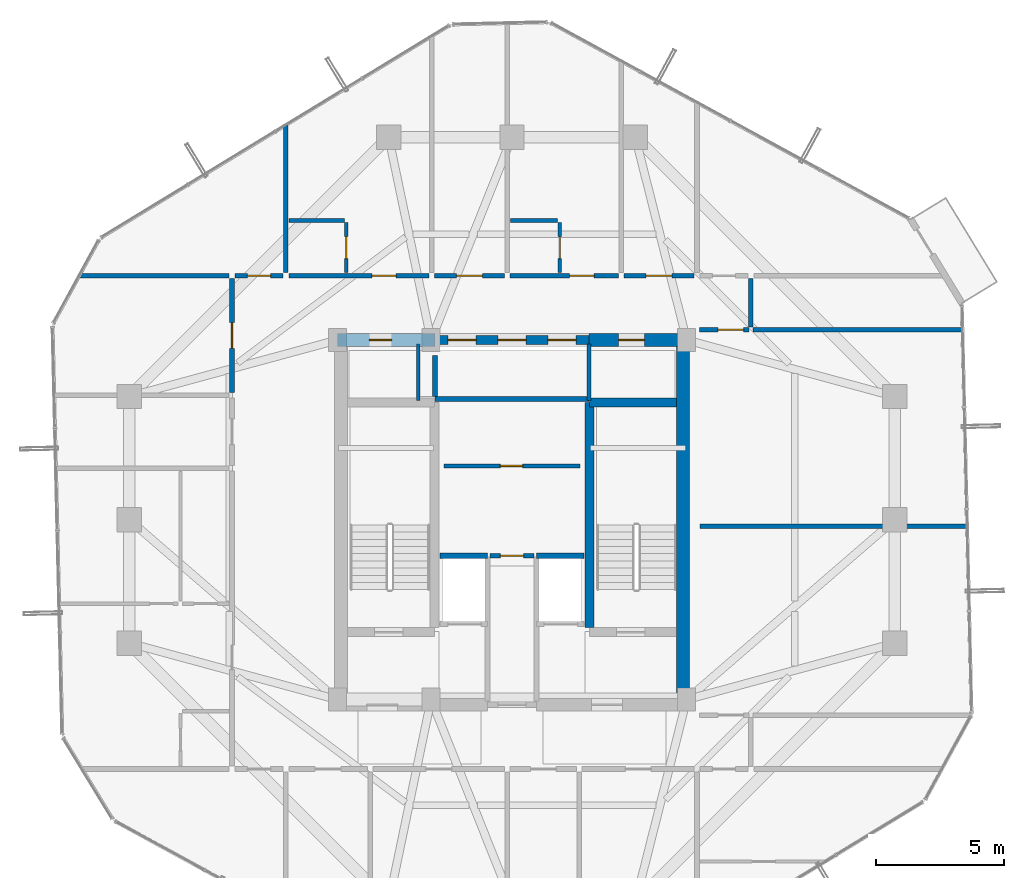
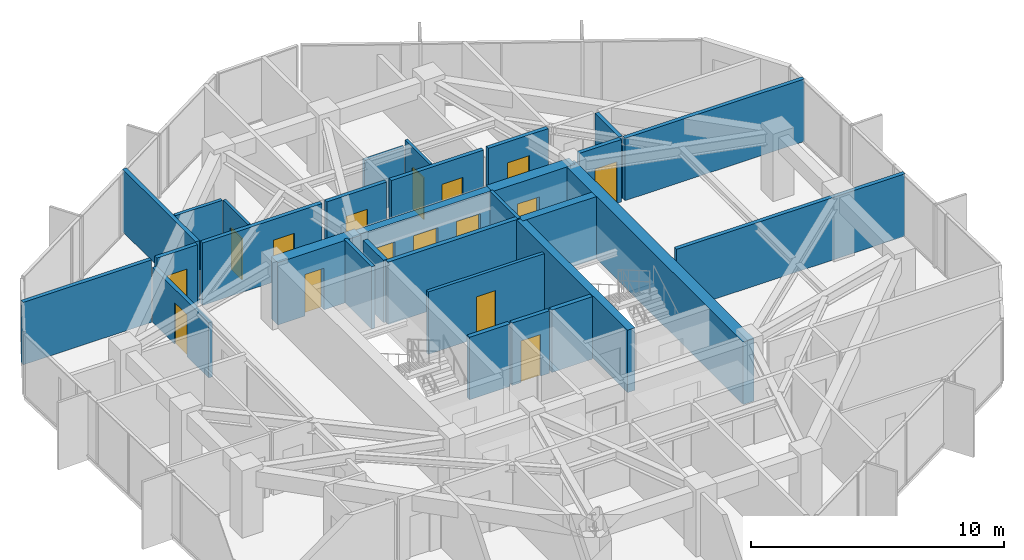
# One storey, part 29 of 32: 30 walls, 16 doors, 16 openings.
"""IFC4 building model written with IfcOpenShell, lengths in metres."""

from ifc_helpers import new_model, si_unit, direction, frame, frame_2d, origin, place, context, subcontext, project, spatial, rectangle, extrude, source, transform, mapped, material, layer, layer_set, type_object, element, fill, save


model = new_model("IFC4")

# Units and contexts
model_context = context("Model", 3, precision=1e-05, world=origin(), true_north=direction((0.0, 1.0)))
body_context = subcontext(model_context, "Body", "Model", "MODEL_VIEW")
ifc_project = project(units=[si_unit("LENGTHUNIT", "METRE"), si_unit("AREAUNIT", "SQUARE_METRE"), si_unit("VOLUMEUNIT", "CUBIC_METRE"), si_unit("PLANEANGLEUNIT", "RADIAN"), si_unit("MASSUNIT", "GRAM", prefix="KILO")], contexts=[model_context])

# Site, building, storey
site_placement = place(None, origin())
site = spatial("IfcSite", under=ifc_project, at=site_placement, CompositionType="ELEMENT")
building_placement = place(site_placement, origin())
building = spatial("IfcBuilding", under=site, at=building_placement, Name="Veraguas Prism Commons", CompositionType="ELEMENT")
storey_placement = place(building_placement, frame((0.0, 0.0, 201.60009765625)))
storey = spatial("IfcBuildingStorey", under=building, at=storey_placement, Name="L57", CompositionType="ELEMENT", Elevation=201.60009765625)

# Wall, openings, doors
ifc_material_1 = material(Name="Concrete C50/60", Category="concrete")
ifc_layer_1 = layer(ifc_material_1, 0.35009765625, Name="Core Internal Shear Wall Upper RC 350", Category="concrete")
ifc_layer_set_1 = layer_set([ifc_layer_1], Name="Concrete C50/60")
wall_type_1 = type_object("IfcWallType", Name="Core Internal Shear Wall Upper RC 350", PredefinedType="SHEAR", material=ifc_layer_set_1)
wall_1_placement = place(storey_placement, frame((21.0, 31.0, 0.0), z_axis=(0.0, 0.0, 1.0), x_axis=(1.0, 0.0, 0.0)))
wall_1 = element("IfcWall", 1, at=wall_1_placement, inside=storey, type_object=wall_type_1, Name="High-Rise Lift Bank Front Shear Wall L57", PredefinedType="SHEAR", context=body_context, shape_type="SweptSolid", body=[
    extrude(rectangle(XDim=6.0, YDim=0.35009765625, at=frame_2d((3.0, 0.0))), origin(), (0.0, 0.0, 1.0), 3.014892578125),
])
opening_1_placement = place(wall_1_placement, frame((0.5, 0.0, 0.0)))
opening_1 = element("IfcOpeningElement", 2, at=opening_1_placement, cuts=wall_1, Name="Opening LD-01", PredefinedType="OPENING", context=body_context, shape_type="SweptSolid", body=[
    extrude(rectangle(XDim=1.10009765625, YDim=2.080078125, at=frame_2d((0.550048828125, 1.0400390625))), frame((0.0, 0.18505859375, 0.0), z_axis=(0.0, -1.0, 0.0), x_axis=(1.0, 0.0, 0.0)), (0.0, 0.0, 1.0), 0.3701171875),
])
opening_2_placement = place(wall_1_placement, frame((2.449951171875, 0.0, 0.0)))
opening_2 = element("IfcOpeningElement", 3, at=opening_2_placement, cuts=wall_1, Name="Opening LD-01", PredefinedType="OPENING", context=body_context, shape_type="SweptSolid", body=[
    extrude(rectangle(XDim=1.10009765625, YDim=2.080078125, at=frame_2d((0.550048828125, 1.0400390625))), frame((0.0, 0.18505859375, 0.0), z_axis=(0.0, -1.0, 0.0), x_axis=(1.0, 0.0, 0.0)), (0.0, 0.0, 1.0), 0.3701171875),
])
opening_3_placement = place(wall_1_placement, frame((4.39990234375, 0.0, 0.0)))
opening_3 = element("IfcOpeningElement", 4, at=opening_3_placement, cuts=wall_1, Name="Opening LD-01", PredefinedType="OPENING", context=body_context, shape_type="SweptSolid", body=[
    extrude(rectangle(XDim=1.10009765625, YDim=2.080078125, at=frame_2d((0.550048828125, 1.0400390625))), frame((0.0, 0.18505859375, 0.0), z_axis=(0.0, -1.0, 0.0), x_axis=(1.0, 0.0, 0.0)), (0.0, 0.0, 1.0), 0.3701171875),
])
ifc_material_2 = material(Name="Stainless steel AISI 316", Category="steel")
door_type_1 = type_object("IfcDoorType", Name="Passenger Lift Sliding Landing Door 1100x2080", OperationType="NOTDEFINED", PredefinedType="DOOR", material=ifc_material_2)
shared_shape_1 = source(origin(), body_context, "Body", "SweptSolid", [
    extrude(rectangle(XDim=1.10009765625, YDim=2.080078125, at=frame_2d((0.550048828125, 1.0400390625))), frame((0.0, 0.02490234375, 0.0), z_axis=(0.0, -1.0, 0.0), x_axis=(1.0, 0.0, 0.0)), (0.0, 0.0, 1.0), 0.050048828125),
])
door_1_placement = place(opening_1_placement, origin())
door_1 = element("IfcDoor", 5, at=door_1_placement, inside=storey, type_object=door_type_1, Name="Sliding Landing Door PL-H1 L57", OperationType="SLIDING_TO_LEFT", OverallHeight=2.080078125, OverallWidth=1.10009765625, PredefinedType="DOOR", context=body_context, shape_type="MappedRepresentation", body=[
    mapped(shared_shape_1, transform((0.0, 0.0, 0.0), scale=1.0)),
])
fill(opening_1, door_1)
door_2_placement = place(opening_2_placement, origin())
door_2 = element("IfcDoor", 6, at=door_2_placement, inside=storey, type_object=door_type_1, Name="Sliding Landing Door PL-H2 L57", OperationType="SLIDING_TO_LEFT", OverallHeight=2.080078125, OverallWidth=1.10009765625, PredefinedType="DOOR", context=body_context, shape_type="MappedRepresentation", body=[
    mapped(shared_shape_1, transform((0.0, 0.0, 0.0), scale=1.0)),
])
fill(opening_2, door_2)
door_3_placement = place(opening_3_placement, origin())
door_3 = element("IfcDoor", 7, at=door_3_placement, inside=storey, type_object=door_type_1, Name="Sliding Landing Door PL-H3 L57", OperationType="SLIDING_TO_LEFT", OverallHeight=2.080078125, OverallWidth=1.10009765625, PredefinedType="DOOR", context=body_context, shape_type="MappedRepresentation", body=[
    mapped(shared_shape_1, transform((0.0, 0.0, 0.0), scale=1.0)),
])
fill(opening_3, door_3)

# Walls
wall_2_placement = place(storey_placement, frame((27.02490234375, 19.800048828125, 0.0), z_axis=(0.0, 0.0, 1.0), x_axis=(0.0, 1.0, 0.0)))
element("IfcWall", 8, at=wall_2_placement, inside=storey, type_object=wall_type_1, Name="Stair ST-02 Inner Shear Wall L57", PredefinedType="SHEAR", context=body_context, shape_type="SweptSolid", body=[
    extrude(rectangle(XDim=8.77490234375, YDim=0.35009765625, at=frame_2d((4.387451171875, 0.0))), origin(), (0.0, 0.0, 1.0), 3.014892578125),
])
wall_3_placement = place(storey_placement, frame((27.02490234375, 28.574951171875, 0.0), z_axis=(0.0, 0.0, 1.0), x_axis=(1.0, 0.0, 0.0)))
element("IfcWall", 9, at=wall_3_placement, inside=storey, type_object=wall_type_1, Name="Stair ST-02 North Shear Wall L57", PredefinedType="SHEAR", context=body_context, shape_type="SweptSolid", body=[
    extrude(rectangle(XDim=3.375, YDim=0.35009765625, at=frame_2d((1.6875, 0.0))), origin(), (0.0, 0.0, 1.0), 3.014892578125),
])
ifc_layer_2 = layer(ifc_material_1, 0.5, Name="Core Outer Shear Wall Upper RC 500", Category="concrete")
ifc_layer_set_2 = layer_set([ifc_layer_2], Name="Concrete C50/60")
wall_type_2 = type_object("IfcWallType", Name="Core Outer Shear Wall Upper RC 500", PredefinedType="SHEAR", material=ifc_layer_set_2)
wall_4_placement = place(storey_placement, frame((30.64990234375, 16.800048828125, 0.0), z_axis=(0.0, 0.0, 1.0), x_axis=(0.0, 1.0, 0.0)))
element("IfcWall", 10, at=wall_4_placement, inside=storey, type_object=wall_type_2, Name="Central Core East Shear Wall L57", PredefinedType="SHEAR", context=body_context, shape_type="SweptSolid", body=[
    extrude(rectangle(XDim=14.199951171875, YDim=0.5, at=frame_2d((7.10009765625, 0.0))), origin(), (0.0, 0.0, 1.0), 3.014892578125),
])

# Wall, opening, door
wall_5_placement = place(storey_placement, frame((17.199951171875, 31.0, 0.0), z_axis=(0.0, 0.0, 1.0), x_axis=(1.0, 0.0, 0.0)))
wall_5 = element("IfcWall", 11, at=wall_5_placement, inside=storey, type_object=wall_type_2, Name="Central Core North-West Shear Wall L57", PredefinedType="SHEAR", context=body_context, shape_type="SweptSolid", body=[
    extrude(rectangle(XDim=3.800048828125, YDim=0.5, at=frame_2d((1.89990234375, 0.0))), origin(), (0.0, 0.0, 1.0), 3.014892578125),
])
opening_4_placement = place(wall_5_placement, frame((1.25, 0.0, 0.0)))
opening_4 = element("IfcOpeningElement", 12, at=opening_4_placement, cuts=wall_5, Name="Opening DR-12", PredefinedType="OPENING", context=body_context, shape_type="SweptSolid", body=[
    extrude(rectangle(XDim=0.860107421875, YDim=2.010009765625, at=frame_2d((0.43017578125, 1.0048828125))), frame((0.0, 0.260009765625, 0.0), z_axis=(0.0, -1.0, 0.0), x_axis=(1.0, 0.0, 0.0)), (0.0, 0.0, 1.0), 0.52001953125),
])
ifc_material_3 = material(Name="Steel fire-rated door assembly", Category="steel")
door_type_2 = type_object("IfcDoorType", Name="Core WC Fire Door 860x2010", OperationType="NOTDEFINED", PredefinedType="DOOR", material=ifc_material_3)
shared_shape_2 = source(origin(), body_context, "Body", "SweptSolid", [
    extrude(rectangle(XDim=0.860107421875, YDim=2.010009765625, at=frame_2d((0.43017578125, 1.0048828125))), frame((0.0, 0.02490234375, 0.0), z_axis=(0.0, -1.0, 0.0), x_axis=(1.0, 0.0, 0.0)), (0.0, 0.0, 1.0), 0.050048828125),
])
door_4_placement = place(opening_4_placement, origin())
door_4 = element("IfcDoor", 13, at=door_4_placement, inside=storey, type_object=door_type_2, Name="Core NW Service Door L57", OperationType="SINGLE_SWING_RIGHT", OverallHeight=2.010009765625, OverallWidth=0.860107421875, PredefinedType="DOOR", context=body_context, shape_type="MappedRepresentation", body=[
    mapped(shared_shape_2, transform((0.0, 0.0, 0.0), scale=1.0)),
])
fill(opening_4, door_4)

wall_6_placement = place(storey_placement, frame((27.0, 31.0, 0.0), z_axis=(0.0, 0.0, 1.0), x_axis=(1.0, 0.0, 0.0)))
wall_6 = element("IfcWall", 14, at=wall_6_placement, inside=storey, type_object=wall_type_2, Name="Central Core North-East Shear Wall L57", PredefinedType="SHEAR", context=body_context, shape_type="SweptSolid", body=[
    extrude(rectangle(XDim=3.800048828125, YDim=0.5, at=frame_2d((1.89990234375, 0.0))), origin(), (0.0, 0.0, 1.0), 3.014892578125),
])
opening_5_placement = place(wall_6_placement, frame((1.14990234375, 0.0, 0.0)))
opening_5 = element("IfcOpeningElement", 15, at=opening_5_placement, cuts=wall_6, Name="Opening DR-13", PredefinedType="OPENING", context=body_context, shape_type="SweptSolid", body=[
    extrude(rectangle(XDim=1.0, YDim=2.010009765625, at=frame_2d((0.5, 1.0048828125))), frame((0.0, 0.260009765625, 0.0), z_axis=(0.0, -1.0, 0.0), x_axis=(1.0, 0.0, 0.0)), (0.0, 0.0, 1.0), 0.52001953125),
])
door_type_3 = type_object("IfcDoorType", Name="Core Accessible WC and Clinic Fire Door 1000x2010", OperationType="NOTDEFINED", PredefinedType="DOOR", material=ifc_material_3)
shared_shape_3 = source(origin(), body_context, "Body", "SweptSolid", [
    extrude(rectangle(XDim=1.0, YDim=2.010009765625, at=frame_2d((0.5, 1.0048828125))), frame((0.0, 0.02490234375, 0.0), z_axis=(0.0, -1.0, 0.0), x_axis=(1.0, 0.0, 0.0)), (0.0, 0.0, 1.0), 0.050048828125),
])
door_5_placement = place(opening_5_placement, origin())
door_5 = element("IfcDoor", 16, at=door_5_placement, inside=storey, type_object=door_type_3, Name="Core NE Pantry Door L57", OperationType="SINGLE_SWING_LEFT", OverallHeight=2.010009765625, OverallWidth=1.0, PredefinedType="DOOR", context=body_context, shape_type="MappedRepresentation", body=[
    mapped(shared_shape_3, transform((0.0, 0.0, 0.0), scale=1.0)),
])
fill(opening_5, door_5)

ifc_material_4 = material(Name="Autoclaved aerated masonry block 10 MPa", Category="masonry")
ifc_layer_3 = layer(ifc_material_4, 0.179931640625, Name="Corridor and Inter-Tenancy Partition 180", Category="masonry")
ifc_layer_set_3 = layer_set([ifc_layer_3], Name="Autoclaved aerated masonry block 10 MPa")
wall_type_3 = type_object("IfcWallType", Name="Corridor and Inter-Tenancy Partition 180", PredefinedType="PARTITIONING", material=ifc_layer_set_3)
wall_7_placement = place(storey_placement, frame((23.14990234375, 22.60009765625, 0.0), z_axis=(0.0, 0.0, 1.0), x_axis=(1.0, 0.0, 0.0)))
wall_7 = element("IfcWall", 17, at=wall_7_placement, inside=storey, type_object=wall_type_3, Name="Core Suite Entry Wall L57", PredefinedType="PARTITIONING", context=body_context, shape_type="SweptSolid", body=[
    extrude(rectangle(XDim=1.7001953125, YDim=0.179931640625, at=frame_2d((0.85009765625, 0.0))), origin(), (0.0, 0.0, 1.0), 3.014892578125),
])
opening_6_placement = place(wall_7_placement, frame((0.39990234375, 0.0, 0.0)))
opening_6 = element("IfcOpeningElement", 18, at=opening_6_placement, cuts=wall_7, Name="Opening DR-14", PredefinedType="OPENING", context=body_context, shape_type="SweptSolid", body=[
    extrude(rectangle(XDim=0.89990234375, YDim=2.010009765625, at=frame_2d((0.449951171875, 1.0048828125))), frame((0.0, 0.099853515625, 0.0), z_axis=(0.0, -1.0, 0.0), x_axis=(1.0, 0.0, 0.0)), (0.0, 0.0, 1.0), 0.199951171875),
])
door_type_4 = type_object("IfcDoorType", Name="Core Service Room Fire Door 900x2010", OperationType="NOTDEFINED", PredefinedType="DOOR", material=ifc_material_3)
shared_shape_4 = source(origin(), body_context, "Body", "SweptSolid", [
    extrude(rectangle(XDim=0.89990234375, YDim=2.010009765625, at=frame_2d((0.449951171875, 1.0048828125))), frame((0.0, 0.02490234375, 0.0), z_axis=(0.0, -1.0, 0.0), x_axis=(1.0, 0.0, 0.0)), (0.0, 0.0, 1.0), 0.050048828125),
])
door_6_placement = place(opening_6_placement, origin())
door_6 = element("IfcDoor", 19, at=door_6_placement, inside=storey, type_object=door_type_4, Name="Core Suite Entry Door L57", OperationType="SINGLE_SWING_RIGHT", OverallHeight=2.010009765625, OverallWidth=0.89990234375, PredefinedType="DOOR", context=body_context, shape_type="MappedRepresentation", body=[
    mapped(shared_shape_4, transform((0.0, 0.0, 0.0), scale=1.0)),
])
fill(opening_6, door_6)

# Wall
wall_8_placement = place(storey_placement, frame((15.199951171875, 33.6201171875, 0.0), z_axis=(0.0, 0.0, 1.0), x_axis=(0.0, 1.0, 0.0)))
element("IfcWall", 20, at=wall_8_placement, inside=storey, type_object=wall_type_3, Name="WL-L57-PT010", PredefinedType="PARTITIONING", context=body_context, shape_type="SweptSolid", body=[
    extrude(rectangle(XDim=5.7919921875, YDim=0.179931640625, at=frame_2d((2.89599609375, 0.0))), origin(), (0.0, 0.0, 1.0), 3.014892578125),
])

# Wall, opening, door
wall_9_placement = place(storey_placement, frame((20.97998046875, 33.5, 0.0), z_axis=(0.0, 0.0, 1.0), x_axis=(1.0, 0.0, 0.0)))
wall_9 = element("IfcWall", 21, at=wall_9_placement, inside=storey, type_object=wall_type_3, Name="WL-L57-PT012", PredefinedType="PARTITIONING", context=body_context, shape_type="SweptSolid", body=[
    extrude(rectangle(XDim=2.72998046875, YDim=0.179931640625, at=frame_2d((1.364990234375, 0.0))), origin(), (0.0, 0.0, 1.0), 3.014892578125),
])
opening_7_placement = place(wall_9_placement, frame((0.864990234375, 0.0, 0.0)))
opening_7 = element("IfcOpeningElement", 22, at=opening_7_placement, cuts=wall_9, Name="Opening DR-13", PredefinedType="OPENING", context=body_context, shape_type="SweptSolid", body=[
    extrude(rectangle(XDim=1.0, YDim=2.010009765625, at=frame_2d((0.5, 1.0048828125))), frame((0.0, 0.099853515625, 0.0), z_axis=(0.0, -1.0, 0.0), x_axis=(1.0, 0.0, 0.0)), (0.0, 0.0, 1.0), 0.199951171875),
])
door_7_placement = place(opening_7_placement, origin())
door_7 = element("IfcDoor", 23, at=door_7_placement, inside=storey, type_object=door_type_3, Name="Quiet Study N Door", OperationType="SINGLE_SWING_RIGHT", OverallHeight=2.010009765625, OverallWidth=1.0, PredefinedType="DOOR", context=body_context, shape_type="MappedRepresentation", body=[
    mapped(shared_shape_3, transform((0.0, 0.0, 0.0), scale=1.0)),
])
fill(opening_7, door_7)

wall_10_placement = place(storey_placement, frame((15.31005859375, 33.5, 0.0), z_axis=(0.0, 0.0, 1.0), x_axis=(1.0, 0.0, 0.0)))
wall_10 = element("IfcWall", 24, at=wall_10_placement, inside=storey, type_object=wall_type_3, Name="WL-L57-PT014", PredefinedType="PARTITIONING", context=body_context, shape_type="SweptSolid", body=[
    extrude(rectangle(XDim=5.449951171875, YDim=0.179931640625, at=frame_2d((2.72509765625, 0.0))), origin(), (0.0, 0.0, 1.0), 3.014892578125),
])
opening_8_placement = place(wall_10_placement, frame((3.23388671875, 0.0, 0.0)))
opening_8 = element("IfcOpeningElement", 25, at=opening_8_placement, cuts=wall_10, Name="Opening DR-01", PredefinedType="OPENING", context=body_context, shape_type="SweptSolid", body=[
    extrude(rectangle(XDim=0.949951171875, YDim=2.02001953125, at=frame_2d((0.47509765625, 1.010009765625))), frame((0.0, 0.099853515625, 0.0), z_axis=(0.0, -1.0, 0.0), x_axis=(1.0, 0.0, 0.0)), (0.0, 0.0, 1.0), 0.199951171875),
])
ifc_material_5 = material(Name="Anodised aluminium EN AW-6063 T6", Category="aluminium")
door_type_5 = type_object("IfcDoorType", Name="Apartment Entrance Fire Door 950x2020", OperationType="NOTDEFINED", PredefinedType="DOOR", material=ifc_material_5)
shared_shape_5 = source(origin(), body_context, "Body", "SweptSolid", [
    extrude(rectangle(XDim=0.949951171875, YDim=2.02001953125, at=frame_2d((0.47509765625, 1.010009765625))), frame((0.0, 0.02490234375, 0.0), z_axis=(0.0, -1.0, 0.0), x_axis=(1.0, 0.0, 0.0)), (0.0, 0.0, 1.0), 0.050048828125),
])
door_8_placement = place(opening_8_placement, origin())
door_8 = element("IfcDoor", 26, at=door_8_placement, inside=storey, type_object=door_type_5, Name="Studio 57A Entrance Door", OperationType="SINGLE_SWING_LEFT", OverallHeight=2.02001953125, OverallWidth=0.949951171875, PredefinedType="DOOR", context=body_context, shape_type="MappedRepresentation", body=[
    mapped(shared_shape_5, transform((0.0, 0.0, 0.0), scale=1.0)),
])
fill(opening_8, door_8)

wall_11_placement = place(storey_placement, frame((28.360107421875, 33.5, 0.0), z_axis=(0.0, 0.0, 1.0), x_axis=(1.0, 0.0, 0.0)))
wall_11 = element("IfcWall", 27, at=wall_11_placement, inside=storey, type_object=wall_type_3, Name="WL-L57-PT018", PredefinedType="PARTITIONING", context=body_context, shape_type="SweptSolid", body=[
    extrude(rectangle(XDim=2.72998046875, YDim=0.179931640625, at=frame_2d((1.364990234375, 0.0))), origin(), (0.0, 0.0, 1.0), 3.014892578125),
])
opening_9_placement = place(wall_11_placement, frame((0.864990234375, 0.0, 0.0)))
opening_9 = element("IfcOpeningElement", 28, at=opening_9_placement, cuts=wall_11, Name="Opening DR-13", PredefinedType="OPENING", context=body_context, shape_type="SweptSolid", body=[
    extrude(rectangle(XDim=1.0, YDim=2.010009765625, at=frame_2d((0.5, 1.0048828125))), frame((0.0, 0.099853515625, 0.0), z_axis=(0.0, -1.0, 0.0), x_axis=(1.0, 0.0, 0.0)), (0.0, 0.0, 1.0), 0.199951171875),
])
door_9_placement = place(opening_9_placement, origin())
door_9 = element("IfcDoor", 29, at=door_9_placement, inside=storey, type_object=door_type_3, Name="Quiet Study N Door", OperationType="SINGLE_SWING_LEFT", OverallHeight=2.010009765625, OverallWidth=1.0, PredefinedType="DOOR", context=body_context, shape_type="MappedRepresentation", body=[
    mapped(shared_shape_3, transform((0.0, 0.0, 0.0), scale=1.0)),
])
fill(opening_9, door_9)

wall_12_placement = place(storey_placement, frame((23.929931640625, 33.5, 0.0), z_axis=(0.0, 0.0, 1.0), x_axis=(1.0, 0.0, 0.0)))
wall_12 = element("IfcWall", 30, at=wall_12_placement, inside=storey, type_object=wall_type_3, Name="WL-L57-PT020", PredefinedType="PARTITIONING", context=body_context, shape_type="SweptSolid", body=[
    extrude(rectangle(XDim=4.2099609375, YDim=0.179931640625, at=frame_2d((2.10498046875, 0.0))), origin(), (0.0, 0.0, 1.0), 3.014892578125),
])
opening_10_placement = place(wall_12_placement, frame((2.31640625, 0.0, 0.0)))
opening_10 = element("IfcOpeningElement", 31, at=opening_10_placement, cuts=wall_12, Name="Opening DR-01", PredefinedType="OPENING", context=body_context, shape_type="SweptSolid", body=[
    extrude(rectangle(XDim=0.949951171875, YDim=2.02001953125, at=frame_2d((0.47509765625, 1.010009765625))), frame((0.0, 0.099853515625, 0.0), z_axis=(0.0, -1.0, 0.0), x_axis=(1.0, 0.0, 0.0)), (0.0, 0.0, 1.0), 0.199951171875),
])
door_10_placement = place(opening_10_placement, origin())
door_10 = element("IfcDoor", 32, at=door_10_placement, inside=storey, type_object=door_type_5, Name="Studio 57B Entrance Door", OperationType="SINGLE_SWING_RIGHT", OverallHeight=2.02001953125, OverallWidth=0.949951171875, PredefinedType="DOOR", context=body_context, shape_type="MappedRepresentation", body=[
    mapped(shared_shape_5, transform((0.0, 0.0, 0.0), scale=1.0)),
])
fill(opening_10, door_10)

# Wall
wall_13_placement = place(storey_placement, frame((12.97998046875, 33.5, 0.0), z_axis=(0.0, 0.0, 1.0), x_axis=(-1.0, 0.0, 0.0)))
element("IfcWall", 33, at=wall_13_placement, inside=storey, type_object=wall_type_3, Name="WL-L57-PT024", PredefinedType="PARTITIONING", context=body_context, shape_type="SweptSolid", body=[
    extrude(rectangle(XDim=5.86572265625, YDim=0.179931640625, at=frame_2d((2.932861328125, 0.0))), origin(), (0.0, 0.0, 1.0), 3.014892578125),
])

# Wall, opening, door
wall_14_placement = place(storey_placement, frame((13.10009765625, 28.9619140625, 0.0), z_axis=(0.0, 0.0, 1.0), x_axis=(0.0, 1.0, 0.0)))
wall_14 = element("IfcWall", 34, at=wall_14_placement, inside=storey, type_object=wall_type_3, Name="WL-L57-PT033", PredefinedType="PARTITIONING", context=body_context, shape_type="SweptSolid", body=[
    extrude(rectangle(XDim=4.427978515625, YDim=0.179931640625, at=frame_2d((2.2138671875, 0.0))), origin(), (0.0, 0.0, 1.0), 2.661865234375),
])
opening_11_placement = place(wall_14_placement, frame((1.714111328125, 0.0, 0.0)))
opening_11 = element("IfcOpeningElement", 35, at=opening_11_placement, cuts=wall_14, Name="Opening DR-13", PredefinedType="OPENING", context=body_context, shape_type="SweptSolid", body=[
    extrude(rectangle(XDim=1.0, YDim=2.010009765625, at=frame_2d((0.5, 1.0048828125))), frame((0.0, 0.099853515625, 0.0), z_axis=(0.0, -1.0, 0.0), x_axis=(1.0, 0.0, 0.0)), (0.0, 0.0, 1.0), 0.199951171875),
])
door_11_placement = place(opening_11_placement, origin())
door_11 = element("IfcDoor", 36, at=door_11_placement, inside=storey, type_object=door_type_3, Name="Co-op Store W Door", OperationType="SINGLE_SWING_LEFT", OverallHeight=2.010009765625, OverallWidth=1.0, PredefinedType="DOOR", context=body_context, shape_type="MappedRepresentation", body=[
    mapped(shared_shape_3, transform((0.0, 0.0, 0.0), scale=1.0)),
])
fill(opening_11, door_11)

# Walls
wall_15_placement = place(storey_placement, frame((31.320068359375, 23.75, 0.0), z_axis=(0.0, 0.0, 1.0), x_axis=(1.0, 0.0, 0.0)))
element("IfcWall", 37, at=wall_15_placement, inside=storey, type_object=wall_type_3, Name="WL-L57-PT035", PredefinedType="PARTITIONING", context=body_context, shape_type="SweptSolid", body=[
    extrude(rectangle(XDim=10.43115234375, YDim=0.179931640625, at=frame_2d((5.215576171875, 0.0))), origin(), (0.0, 0.0, 1.0), 3.014892578125),
])
wall_16_placement = place(storey_placement, frame((33.300048828125, 31.5, 0.0), z_axis=(0.0, 0.0, 1.0), x_axis=(0.0, 1.0, 0.0)))
element("IfcWall", 38, at=wall_16_placement, inside=storey, type_object=wall_type_3, Name="WL-L57-PT037", PredefinedType="PARTITIONING", context=body_context, shape_type="SweptSolid", body=[
    extrude(rectangle(XDim=1.89990234375, YDim=0.179931640625, at=frame_2d((0.949951171875, 0.0))), origin(), (0.0, 0.0, 1.0), 3.014892578125),
])

# Wall, opening, door
wall_17_placement = place(storey_placement, frame((31.300048828125, 31.39990234375, 0.0), z_axis=(0.0, 0.0, 1.0), x_axis=(1.0, 0.0, 0.0)))
wall_17 = element("IfcWall", 39, at=wall_17_placement, inside=storey, type_object=wall_type_3, Name="WL-L57-PT040", PredefinedType="PARTITIONING", context=body_context, shape_type="SweptSolid", body=[
    extrude(rectangle(XDim=1.919921875, YDim=0.179931640625, at=frame_2d((0.9599609375, 0.0))), origin(), (0.0, 0.0, 1.0), 3.014892578125),
])
opening_12_placement = place(wall_17_placement, frame((0.719970703125, 0.0, 0.0)))
opening_12 = element("IfcOpeningElement", 40, at=opening_12_placement, cuts=wall_17, Name="Opening DR-13", PredefinedType="OPENING", context=body_context, shape_type="SweptSolid", body=[
    extrude(rectangle(XDim=1.0, YDim=2.010009765625, at=frame_2d((0.5, 1.0048828125))), frame((0.0, 0.099853515625, 0.0), z_axis=(0.0, -1.0, 0.0), x_axis=(1.0, 0.0, 0.0)), (0.0, 0.0, 1.0), 0.199951171875),
])
door_12_placement = place(opening_12_placement, origin())
door_12 = element("IfcDoor", 41, at=door_12_placement, inside=storey, type_object=door_type_3, Name="Study Salon Door L57", OperationType="SINGLE_SWING_LEFT", OverallHeight=2.010009765625, OverallWidth=1.0, PredefinedType="DOOR", context=body_context, shape_type="MappedRepresentation", body=[
    mapped(shared_shape_3, transform((0.0, 0.0, 0.0), scale=1.0)),
])
fill(opening_12, door_12)

# Wall
wall_18_placement = place(storey_placement, frame((33.3798828125, 31.39990234375, 0.0), z_axis=(0.0, 0.0, 1.0), x_axis=(1.0, 0.0, 0.0)))
element("IfcWall", 42, at=wall_18_placement, inside=storey, type_object=wall_type_3, Name="WL-L57-PT041", PredefinedType="PARTITIONING", context=body_context, shape_type="SweptSolid", body=[
    extrude(rectangle(XDim=8.189697265625, YDim=0.179931640625, at=frame_2d((4.0947265625, 0.0))), origin(), (0.0, 0.0, 1.0), 3.014892578125),
])

# Wall, opening, door
wall_19_placement = place(storey_placement, frame((13.219970703125, 33.5, 0.0), z_axis=(0.0, 0.0, 1.0), x_axis=(1.0, 0.0, 0.0)))
wall_19 = element("IfcWall", 43, at=wall_19_placement, inside=storey, type_object=wall_type_3, Name="WL-L57-PT046", PredefinedType="PARTITIONING", context=body_context, shape_type="SweptSolid", body=[
    extrude(rectangle(XDim=1.860107421875, YDim=0.179931640625, at=frame_2d((0.93017578125, 0.0))), origin(), (0.0, 0.0, 1.0), 3.014892578125),
])
opening_13_placement = place(wall_19_placement, frame((0.47998046875, 0.0, 0.0)))
opening_13 = element("IfcOpeningElement", 44, at=opening_13_placement, cuts=wall_19, Name="Opening DR-14", PredefinedType="OPENING", context=body_context, shape_type="SweptSolid", body=[
    extrude(rectangle(XDim=0.89990234375, YDim=2.010009765625, at=frame_2d((0.449951171875, 1.0048828125))), frame((0.0, 0.099853515625, 0.0), z_axis=(0.0, -1.0, 0.0), x_axis=(1.0, 0.0, 0.0)), (0.0, 0.0, 1.0), 0.199951171875),
])
door_13_placement = place(opening_13_placement, origin())
door_13 = element("IfcDoor", 45, at=door_13_placement, inside=storey, type_object=door_type_4, Name="Residents Cycle and Pram Store NW Door", OperationType="SINGLE_SWING_LEFT", OverallHeight=2.010009765625, OverallWidth=0.89990234375, PredefinedType="DOOR", context=body_context, shape_type="MappedRepresentation", body=[
    mapped(shared_shape_4, transform((0.0, 0.0, 0.0), scale=1.0)),
])
fill(opening_13, door_13)

ifc_material_6 = material(Name="Lightweight acoustic gypsum board")
ifc_layer_4 = layer(ifc_material_6, 0.125, Name="Internal Apartment Room Partition 125")
ifc_layer_set_4 = layer_set([ifc_layer_4], Name="Lightweight acoustic gypsum board")
wall_type_4 = type_object("IfcWallType", Name="Internal Apartment Room Partition 125", PredefinedType="PARTITIONING", material=ifc_layer_set_4)
wall_20_placement = place(storey_placement, frame((17.550048828125, 33.6201171875, 0.0), z_axis=(0.0, 0.0, 1.0), x_axis=(0.0, 1.0, 0.0)))
wall_20 = element("IfcWall", 46, at=wall_20_placement, inside=storey, type_object=wall_type_4, Name="WL-L57-PT015", PredefinedType="PARTITIONING", context=body_context, shape_type="SweptSolid", body=[
    extrude(rectangle(XDim=1.949951171875, YDim=0.125, at=frame_2d((0.97509765625, 0.0))), origin(), (0.0, 0.0, 1.0), 3.014892578125),
])
opening_14_placement = place(wall_20_placement, frame((0.544921875, 0.0, 0.0)))
opening_14 = element("IfcOpeningElement", 47, at=opening_14_placement, cuts=wall_20, Name="Opening DR-03", PredefinedType="OPENING", context=body_context, shape_type="SweptSolid", body=[
    extrude(rectangle(XDim=0.860107421875, YDim=2.010009765625, at=frame_2d((0.43017578125, 1.0048828125))), frame((0.0, 0.072509765625, 0.0), z_axis=(0.0, -1.0, 0.0), x_axis=(1.0, 0.0, 0.0)), (0.0, 0.0, 1.0), 0.14501953125),
])
ifc_material_7 = material(Name="Timber moisture-resistant leaf", Category="wood")
door_type_6 = type_object("IfcDoorType", Name="Internal Bathroom Door 860x2010", OperationType="NOTDEFINED", PredefinedType="DOOR", material=ifc_material_7)
door_14_placement = place(opening_14_placement, origin())
door_14 = element("IfcDoor", 48, at=door_14_placement, inside=storey, type_object=door_type_6, Name="Studio 57A Bathroom Door", OperationType="SINGLE_SWING_RIGHT", OverallHeight=2.010009765625, OverallWidth=0.860107421875, PredefinedType="DOOR", context=body_context, shape_type="MappedRepresentation", body=[
    mapped(shared_shape_2, transform((0.0, 0.0, 0.0), scale=1.0)),
])
fill(opening_14, door_14)

wall_21_placement = place(storey_placement, frame((25.85791015625, 33.6201171875, 0.0), z_axis=(0.0, 0.0, 1.0), x_axis=(0.0, 1.0, 0.0)))
wall_21 = element("IfcWall", 49, at=wall_21_placement, inside=storey, type_object=wall_type_4, Name="WL-L57-PT021", PredefinedType="PARTITIONING", context=body_context, shape_type="SweptSolid", body=[
    extrude(rectangle(XDim=1.949951171875, YDim=0.125, at=frame_2d((0.97509765625, 0.0))), origin(), (0.0, 0.0, 1.0), 3.014892578125),
])
opening_15_placement = place(wall_21_placement, frame((0.544921875, 0.0, 0.0)))
opening_15 = element("IfcOpeningElement", 50, at=opening_15_placement, cuts=wall_21, Name="Opening DR-03", PredefinedType="OPENING", context=body_context, shape_type="SweptSolid", body=[
    extrude(rectangle(XDim=0.860107421875, YDim=2.010009765625, at=frame_2d((0.43017578125, 1.0048828125))), frame((0.0, 0.072509765625, 0.0), z_axis=(0.0, -1.0, 0.0), x_axis=(1.0, 0.0, 0.0)), (0.0, 0.0, 1.0), 0.14501953125),
])
door_15_placement = place(opening_15_placement, origin())
door_15 = element("IfcDoor", 51, at=door_15_placement, inside=storey, type_object=door_type_6, Name="Studio 57B Bathroom Door", OperationType="SINGLE_SWING_LEFT", OverallHeight=2.010009765625, OverallWidth=0.860107421875, PredefinedType="DOOR", context=body_context, shape_type="MappedRepresentation", body=[
    mapped(shared_shape_2, transform((0.0, 0.0, 0.0), scale=1.0)),
])
fill(opening_15, door_15)

# Walls
ifc_layer_5 = layer(ifc_material_4, 0.199951171875, Name="Rated Shaft and Lobby Block Wall 200", Category="masonry")
ifc_layer_set_5 = layer_set([ifc_layer_5], Name="Autoclaved aerated masonry block 10 MPa")
wall_type_5 = type_object("IfcWallType", Name="Rated Shaft and Lobby Block Wall 200", PredefinedType="SOLIDWALL", material=ifc_layer_set_5)
for number, where, z_axis, x_axis, name in (
    (52, (21.199951171875, 22.60009765625, 0.0), (0.0, 0.0, 1.0), (1.0, 0.0, 0.0), "Firefighting Lift FFL-1 Rear Wall L57"),
    (53, (24.949951171875, 22.60009765625, 0.0), (0.0, 0.0, 1.0), (1.0, 0.0, 0.0), "Firefighting Lift FFL-2 Rear Wall L57"),
):
    element("IfcWall", number, at=place(storey_placement, frame(where, z_axis=z_axis, x_axis=x_axis)), inside=storey, type_object=wall_type_5, Name=name, PredefinedType="SOLIDWALL", context=body_context, shape_type="SweptSolid", body=[
        extrude(rectangle(XDim=1.85009765625, YDim=0.199951171875, at=frame_2d((0.925048828125, 0.0))), origin(), (0.0, 0.0, 1.0), 3.014892578125),
    ])
wall_22_placement = place(storey_placement, frame((21.0, 28.699951171875, 0.0), z_axis=(0.0, 0.0, 1.0), x_axis=(1.0, 0.0, 0.0)))
element("IfcWall", 54, at=wall_22_placement, inside=storey, type_object=wall_type_5, Name="High-Rise Lift Bank Rear Shaft Wall L57", PredefinedType="SOLIDWALL", context=body_context, shape_type="SweptSolid", body=[
    extrude(rectangle(XDim=6.0, YDim=0.199951171875, at=frame_2d((3.0, 0.0))), origin(), (0.0, 0.0, 1.0), 3.014892578125),
])
wall_23_placement = place(storey_placement, frame((21.0, 28.800048828125, 0.0), z_axis=(0.0, 0.0, 1.0), x_axis=(0.0, 1.0, 0.0)))
element("IfcWall", 55, at=wall_23_placement, inside=storey, type_object=wall_type_5, Name="High-Rise Lift Bank West Shaft Wall L57", PredefinedType="SOLIDWALL", context=body_context, shape_type="SweptSolid", body=[
    extrude(rectangle(XDim=1.599853515625, YDim=0.199951171875, at=frame_2d((0.7998046875, 0.0))), origin(), (0.0, 0.0, 1.0), 3.014892578125),
])
ifc_layer_6 = layer(ifc_material_6, 0.14990234375, Name="Wet Room and Clinic Acoustic Partition 150")
ifc_layer_set_6 = layer_set([ifc_layer_6], Name="Lightweight acoustic gypsum board")
wall_type_6 = type_object("IfcWallType", Name="Wet Room and Clinic Acoustic Partition 150", PredefinedType="PARTITIONING", material=ifc_layer_set_6)
for number, where, z_axis, x_axis, name in (
    (56, (20.35009765625, 28.64990234375, 0.0), (0.0, 0.0, 1.0), (0.0, 1.0, 0.0), "Core NW Service Inner Wall L57"),
    (57, (27.0, 28.64990234375, 0.0), (0.0, 0.0, 1.0), (0.0, 1.0, 0.0), "Core NE Service Inner Wall L57"),
):
    element("IfcWall", number, at=place(storey_placement, frame(where, z_axis=z_axis, x_axis=x_axis)), inside=storey, type_object=wall_type_6, Name=name, PredefinedType="PARTITIONING", context=body_context, shape_type="SweptSolid", body=[
        extrude(rectangle(XDim=2.2001953125, YDim=0.14990234375, at=frame_2d((1.10009765625, 0.0))), origin(), (0.0, 0.0, 1.0), 3.014892578125),
    ])

# Wall, opening, door
wall_24_placement = place(storey_placement, frame((21.35009765625, 26.10009765625, 0.0), z_axis=(0.0, 0.0, 1.0), x_axis=(1.0, 0.0, 0.0)))
wall_24 = element("IfcWall", 58, at=wall_24_placement, inside=storey, type_object=wall_type_6, Name="WL-L57-FRWHM", PredefinedType="PARTITIONING", context=body_context, shape_type="SweptSolid", body=[
    extrude(rectangle(XDim=5.2998046875, YDim=0.14990234375, at=frame_2d((2.64990234375, 0.0))), origin(), (0.0, 0.0, 1.0), 3.014892578125),
])
opening_16_placement = place(wall_24_placement, frame((2.199951171875, 0.0, 0.0)))
opening_16 = element("IfcOpeningElement", 59, at=opening_16_placement, cuts=wall_24, Name="Opening DR-12", PredefinedType="OPENING", context=body_context, shape_type="SweptSolid", body=[
    extrude(rectangle(XDim=0.860107421875, YDim=2.010009765625, at=frame_2d((0.43017578125, 1.0048828125))), frame((0.0, 0.0849609375, 0.0), z_axis=(0.0, -1.0, 0.0), x_axis=(1.0, 0.0, 0.0)), (0.0, 0.0, 1.0), 0.169921875),
])
door_16_placement = place(opening_16_placement, origin())
door_16 = element("IfcDoor", 60, at=door_16_placement, inside=storey, type_object=door_type_2, Name="Archive Store Door L57", OperationType="SINGLE_SWING_LEFT", OverallHeight=2.010009765625, OverallWidth=0.860107421875, PredefinedType="DOOR", context=body_context, shape_type="MappedRepresentation", body=[
    mapped(shared_shape_2, transform((0.0, 0.0, 0.0), scale=1.0)),
])
fill(opening_16, door_16)

# Walls
wall_25_placement = place(storey_placement, frame((15.320068359375, 35.64990234375, 0.0), z_axis=(0.0, 0.0, 1.0), x_axis=(1.0, 0.0, 0.0)))
element("IfcWall", 61, at=wall_25_placement, inside=storey, type_object=wall_type_6, Name="WL-L57-PT016", PredefinedType="PARTITIONING", context=body_context, shape_type="SweptSolid", body=[
    extrude(rectangle(XDim=2.14990234375, YDim=0.14990234375, at=frame_2d((1.074951171875, 0.0))), origin(), (0.0, 0.0, 1.0), 3.014892578125),
])
wall_26_placement = place(storey_placement, frame((23.93994140625, 35.64990234375, 0.0), z_axis=(0.0, 0.0, 1.0), x_axis=(1.0, 0.0, 0.0)))
element("IfcWall", 62, at=wall_26_placement, inside=storey, type_object=wall_type_6, Name="WL-L57-PT022", PredefinedType="PARTITIONING", context=body_context, shape_type="SweptSolid", body=[
    extrude(rectangle(XDim=1.838134765625, YDim=0.14990234375, at=frame_2d((0.9189453125, 0.0))), origin(), (0.0, 0.0, 1.0), 2.661865234375),
])

save(model, "model.ifc")
